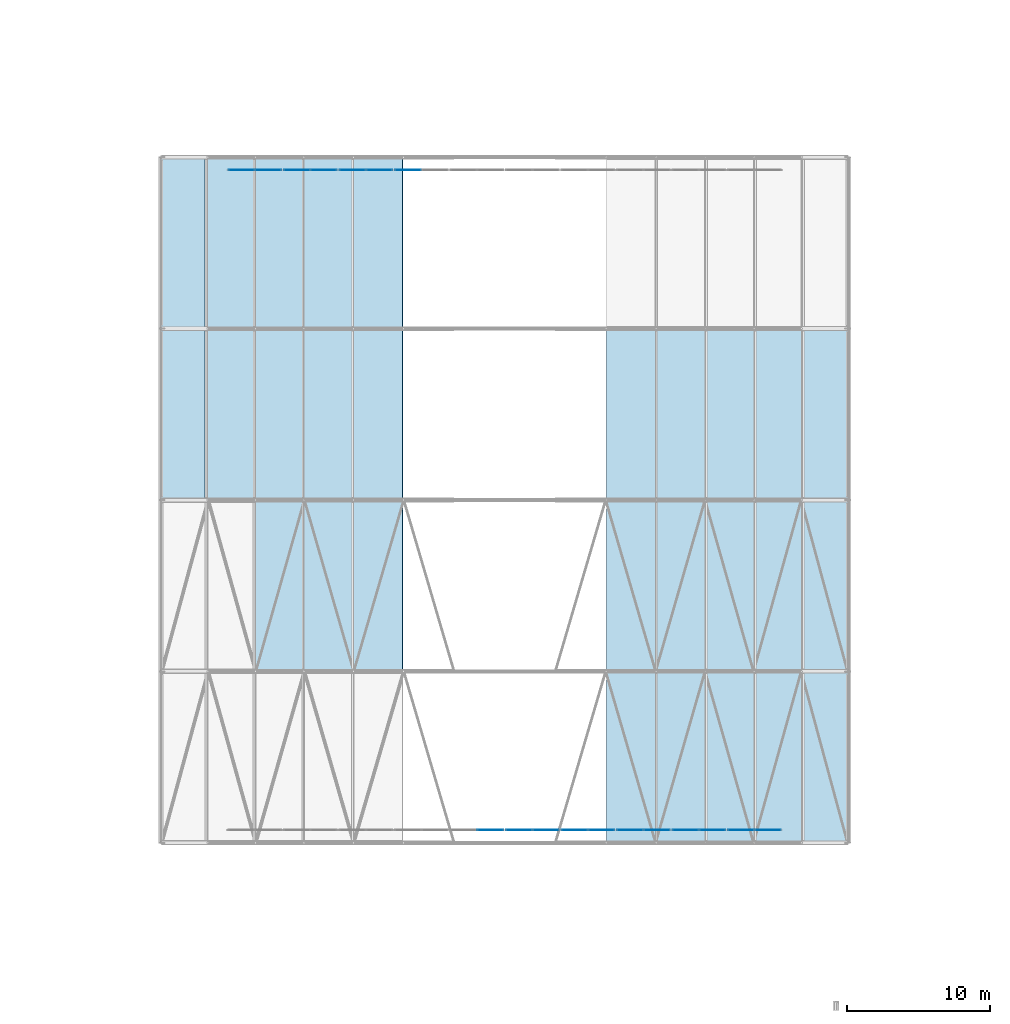
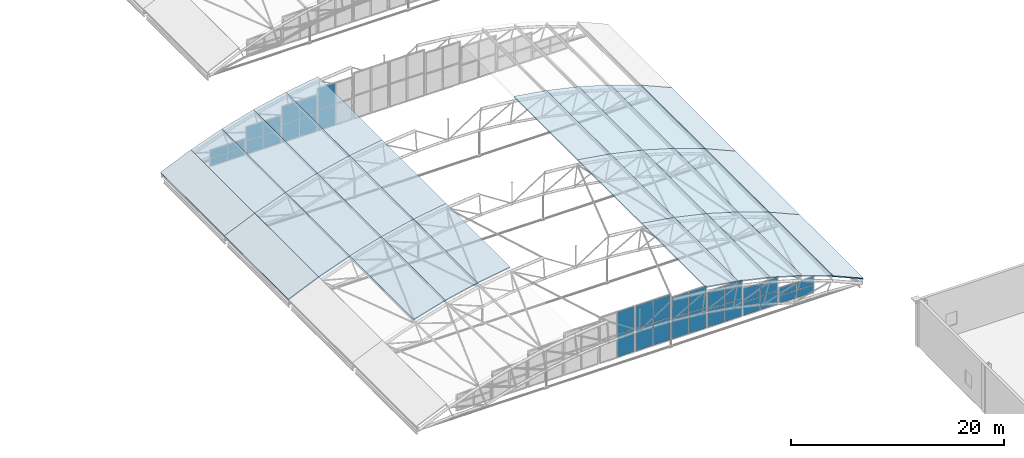
# One storey, part 249 of 321: 36 plates, 28 slabs, 10 elements without a shape of their own.
"""IFC4 building model written with IfcOpenShell, lengths in metres."""

from ifc_helpers import new_model, si_unit, direction, frame, origin, origin_2d, place, context, subcontext, project, spatial, polyline, rectangle, outline, extrude, material, layer, layer_set, type_object, element, aggregate, save


model = new_model("IFC4")

# Units and contexts
model_context = context("Model", 3, precision=1e-05, world=origin(), true_north=direction((0.0, 1.0)))
body_context = subcontext(model_context, "Body", "Model", "MODEL_VIEW")
ifc_project = project(units=[si_unit("LENGTHUNIT", "METRE"), si_unit("AREAUNIT", "SQUARE_METRE"), si_unit("VOLUMEUNIT", "CUBIC_METRE"), si_unit("PLANEANGLEUNIT", "RADIAN"), si_unit("MASSUNIT", "GRAM", prefix="KILO")], contexts=[model_context])

# Site, building, storey
site_placement = place(None, origin())
site = spatial("IfcSite", under=ifc_project, at=site_placement, CompositionType="ELEMENT")
building_placement = place(site_placement, origin())
building = spatial("IfcBuilding", under=site, at=building_placement, Name="Ravi Spectrum Wholesale Market", CompositionType="ELEMENT")
storey_placement = place(building_placement, frame((0.0, 0.0, 10.800048828125)))
storey = spatial("IfcBuildingStorey", under=building, at=storey_placement, Name="L02", CompositionType="ELEMENT", Elevation=10.800048828125)

# Curtain wall, plate
ifc_material_1 = material(Name="Aluminium 6063-T6", Category="aluminium")
ifc_layer_1 = layer(ifc_material_1, 0.14990234375)
ifc_layer_set_1 = layer_set([ifc_layer_1], Name="Aluminium 6063-T6")
curtain_wall_type = type_object("IfcCurtainWallType", Name="Curtain wall 150", PredefinedType="NOTDEFINED", material=ifc_layer_set_1)
curtain_wall_1_placement = place(storey_placement, origin())
curtain_wall_1 = element("IfcCurtainWall", 1, at=curtain_wall_1_placement, inside=storey, type_object=curtain_wall_type, Name="H2-CW-L02-005", PredefinedType="NOTDEFINED")
ifc_material_2 = material(Name="Toughened glass", Category="glass")
ifc_layer_2 = layer(ifc_material_2, 0.028076171875)
ifc_layer_set_2 = layer_set([ifc_layer_2], Name="Toughened glass")
plate_type_1 = type_object("IfcPlateType", Name="Glazing panel 28", PredefinedType="CURTAIN_PANEL", material=ifc_layer_set_2)
plate_1_placement = place(storey_placement, frame((172.993408203125, 78.89990234375, 0.059814453125), z_axis=(0.0, 0.0, 1.0), x_axis=(1.0, 0.0, 0.0)))
plate_1 = element("IfcPlate", 2, at=plate_1_placement, type_object=plate_type_1, Name="H2-CW-L02-005 panel 2.1", PredefinedType="CURTAIN_PANEL", context=body_context, shape_type="SweptSolid", body=[
    extrude(rectangle(XDim=1.81298828125, YDim=0.028076171875, at=origin_2d()), origin(), (0.0, 0.0, 1.0), 2.56005859375),
])

# Curtain wall, plates
curtain_wall_2_placement = place(storey_placement, origin())
curtain_wall_2 = element("IfcCurtainWall", 3, at=curtain_wall_2_placement, inside=storey, type_object=curtain_wall_type, Name="H2-CW-L02-006", PredefinedType="NOTDEFINED")
plate_2_placement = place(storey_placement, frame((175.006591796875, 78.89990234375, 0.059814453125), z_axis=(0.0, 0.0, 1.0), x_axis=(1.0, 0.0, 0.0)))
plate_2 = element("IfcPlate", 4, at=plate_2_placement, type_object=plate_type_1, Name="H2-CW-L02-006 panel 1.1", PredefinedType="CURTAIN_PANEL", context=body_context, shape_type="SweptSolid", body=[
    extrude(rectangle(XDim=1.81298828125, YDim=0.028076171875, at=origin_2d()), origin(), (0.0, 0.0, 1.0), 2.56005859375),
])
plate_3_placement = place(storey_placement, frame((176.879638671875, 78.89990234375, 0.059814453125), z_axis=(0.0, 0.0, 1.0), x_axis=(1.0, 0.0, 0.0)))
plate_3 = element("IfcPlate", 5, at=plate_3_placement, type_object=plate_type_1, Name="H2-CW-L02-006 panel 2.1", PredefinedType="CURTAIN_PANEL", context=body_context, shape_type="SweptSolid", body=[
    extrude(rectangle(XDim=1.81298828125, YDim=0.028076171875, at=origin_2d()), origin(), (0.0, 0.0, 1.0), 2.56005859375),
])

curtain_wall_3_placement = place(storey_placement, origin())
curtain_wall_3 = element("IfcCurtainWall", 6, at=curtain_wall_3_placement, inside=storey, type_object=curtain_wall_type, Name="H2-CW-L02-007", PredefinedType="NOTDEFINED")
plate_4_placement = place(storey_placement, frame((178.892578125, 78.89990234375, 0.06005859375), z_axis=(0.0, 0.0, 1.0), x_axis=(1.0, 0.0, 0.0)))
plate_4 = element("IfcPlate", 7, at=plate_4_placement, type_object=plate_type_1, Name="H2-CW-L02-007 panel 1.1", PredefinedType="CURTAIN_PANEL", context=body_context, shape_type="SweptSolid", body=[
    extrude(rectangle(XDim=1.81298828125, YDim=0.028076171875, at=origin_2d()), origin(), (0.0, 0.0, 1.0), 2.360107421875),
])
plate_5_placement = place(storey_placement, frame((180.765625, 78.89990234375, 0.06005859375), z_axis=(0.0, 0.0, 1.0), x_axis=(1.0, 0.0, 0.0)))
plate_5 = element("IfcPlate", 8, at=plate_5_placement, type_object=plate_type_1, Name="H2-CW-L02-007 panel 2.1", PredefinedType="CURTAIN_PANEL", context=body_context, shape_type="SweptSolid", body=[
    extrude(rectangle(XDim=1.81298828125, YDim=0.028076171875, at=origin_2d()), origin(), (0.0, 0.0, 1.0), 2.360107421875),
])

curtain_wall_4_placement = place(storey_placement, origin())
curtain_wall_4 = element("IfcCurtainWall", 9, at=curtain_wall_4_placement, inside=storey, type_object=curtain_wall_type, Name="H2-CW-L02-008", PredefinedType="NOTDEFINED")
plate_6_placement = place(storey_placement, frame((182.77880859375, 78.89990234375, 0.06005859375), z_axis=(0.0, 0.0, 1.0), x_axis=(1.0, 0.0, 0.0)))
plate_6 = element("IfcPlate", 10, at=plate_6_placement, type_object=plate_type_1, Name="H2-CW-L02-008 panel 1.1", PredefinedType="CURTAIN_PANEL", context=body_context, shape_type="SweptSolid", body=[
    extrude(rectangle(XDim=1.81298828125, YDim=0.028076171875, at=origin_2d()), origin(), (0.0, 0.0, 1.0), 2.010009765625),
])
plate_7_placement = place(storey_placement, frame((184.65185546875, 78.89990234375, 0.06005859375), z_axis=(0.0, 0.0, 1.0), x_axis=(1.0, 0.0, 0.0)))
plate_7 = element("IfcPlate", 11, at=plate_7_placement, type_object=plate_type_1, Name="H2-CW-L02-008 panel 2.1", PredefinedType="CURTAIN_PANEL", context=body_context, shape_type="SweptSolid", body=[
    extrude(rectangle(XDim=1.81298828125, YDim=0.028076171875, at=origin_2d()), origin(), (0.0, 0.0, 1.0), 2.010009765625),
])

curtain_wall_5_placement = place(storey_placement, origin())
curtain_wall_5 = element("IfcCurtainWall", 12, at=curtain_wall_5_placement, inside=storey, type_object=curtain_wall_type, Name="H2-CW-L02-009", PredefinedType="NOTDEFINED")
plate_8_placement = place(storey_placement, frame((186.6650390625, 78.89990234375, 0.06005859375), z_axis=(0.0, 0.0, 1.0), x_axis=(1.0, 0.0, 0.0)))
plate_8 = element("IfcPlate", 13, at=plate_8_placement, type_object=plate_type_1, Name="H2-CW-L02-009 panel 1.1", PredefinedType="CURTAIN_PANEL", context=body_context, shape_type="SweptSolid", body=[
    extrude(rectangle(XDim=1.81298828125, YDim=0.028076171875, at=origin_2d()), origin(), (0.0, 0.0, 1.0), 1.510009765625),
])
plate_9_placement = place(storey_placement, frame((188.5380859375, 78.89990234375, 0.06005859375), z_axis=(0.0, 0.0, 1.0), x_axis=(1.0, 0.0, 0.0)))
plate_9 = element("IfcPlate", 14, at=plate_9_placement, type_object=plate_type_1, Name="H2-CW-L02-009 panel 2.1", PredefinedType="CURTAIN_PANEL", context=body_context, shape_type="SweptSolid", body=[
    extrude(rectangle(XDim=1.81298828125, YDim=0.028076171875, at=origin_2d()), origin(), (0.0, 0.0, 1.0), 1.510009765625),
])

curtain_wall_6_placement = place(storey_placement, origin())
curtain_wall_6 = element("IfcCurtainWall", 15, at=curtain_wall_6_placement, inside=storey, type_object=curtain_wall_type, Name="H2-CW-L02-010", PredefinedType="NOTDEFINED")
plate_10_placement = place(storey_placement, frame((190.551025390625, 78.89990234375, 0.97998046875), z_axis=(0.0, 0.0, 1.0), x_axis=(1.0, 0.0, 0.0)))
plate_10 = element("IfcPlate", 16, at=plate_10_placement, type_object=plate_type_1, Name="H2-CW-L02-010 panel 1.2", PredefinedType="CURTAIN_PANEL", context=body_context, shape_type="SweptSolid", body=[
    extrude(rectangle(XDim=1.81298828125, YDim=0.028076171875, at=origin_2d()), origin(), (0.0, 0.0, 1.0), 0.860107421875),
])
plate_11_placement = place(storey_placement, frame((192.424072265625, 78.89990234375, 0.97998046875), z_axis=(0.0, 0.0, 1.0), x_axis=(1.0, 0.0, 0.0)))
plate_11 = element("IfcPlate", 17, at=plate_11_placement, type_object=plate_type_1, Name="H2-CW-L02-010 panel 2.2", PredefinedType="CURTAIN_PANEL", context=body_context, shape_type="SweptSolid", body=[
    extrude(rectangle(XDim=1.81298828125, YDim=0.028076171875, at=origin_2d()), origin(), (0.0, 0.0, 1.0), 0.860107421875),
])

curtain_wall_7_placement = place(storey_placement, origin())
curtain_wall_7 = element("IfcCurtainWall", 18, at=curtain_wall_7_placement, inside=storey, type_object=curtain_wall_type, Name="H2-CW-L02-011", PredefinedType="NOTDEFINED")
plate_12_placement = place(storey_placement, frame((155.575927734375, 125.10009765625, 0.97998046875), z_axis=(0.0, 0.0, 1.0), x_axis=(1.0, 0.0, 0.0)))
plate_12 = element("IfcPlate", 19, at=plate_12_placement, type_object=plate_type_1, Name="H2-CW-L02-011 panel 1.2", PredefinedType="CURTAIN_PANEL", context=body_context, shape_type="SweptSolid", body=[
    extrude(rectangle(XDim=1.81298828125, YDim=0.028076171875, at=origin_2d()), origin(), (0.0, 0.0, 1.0), 0.860107421875),
])
plate_13_placement = place(storey_placement, frame((157.448974609375, 125.10009765625, 0.97998046875), z_axis=(0.0, 0.0, 1.0), x_axis=(1.0, 0.0, 0.0)))
plate_13 = element("IfcPlate", 20, at=plate_13_placement, type_object=plate_type_1, Name="H2-CW-L02-011 panel 2.2", PredefinedType="CURTAIN_PANEL", context=body_context, shape_type="SweptSolid", body=[
    extrude(rectangle(XDim=1.81298828125, YDim=0.028076171875, at=origin_2d()), origin(), (0.0, 0.0, 1.0), 0.860107421875),
])

curtain_wall_8_placement = place(storey_placement, origin())
curtain_wall_8 = element("IfcCurtainWall", 21, at=curtain_wall_8_placement, inside=storey, type_object=curtain_wall_type, Name="H2-CW-L02-012", PredefinedType="NOTDEFINED")
plate_14_placement = place(storey_placement, frame((159.4619140625, 125.10009765625, 0.06005859375), z_axis=(0.0, 0.0, 1.0), x_axis=(1.0, 0.0, 0.0)))
plate_14 = element("IfcPlate", 22, at=plate_14_placement, type_object=plate_type_1, Name="H2-CW-L02-012 panel 1.1", PredefinedType="CURTAIN_PANEL", context=body_context, shape_type="SweptSolid", body=[
    extrude(rectangle(XDim=1.81298828125, YDim=0.028076171875, at=origin_2d()), origin(), (0.0, 0.0, 1.0), 1.510009765625),
])
plate_15_placement = place(storey_placement, frame((161.3349609375, 125.10009765625, 0.06005859375), z_axis=(0.0, 0.0, 1.0), x_axis=(1.0, 0.0, 0.0)))
plate_15 = element("IfcPlate", 23, at=plate_15_placement, type_object=plate_type_1, Name="H2-CW-L02-012 panel 2.1", PredefinedType="CURTAIN_PANEL", context=body_context, shape_type="SweptSolid", body=[
    extrude(rectangle(XDim=1.81298828125, YDim=0.028076171875, at=origin_2d()), origin(), (0.0, 0.0, 1.0), 1.510009765625),
])

curtain_wall_9_placement = place(storey_placement, origin())
curtain_wall_9 = element("IfcCurtainWall", 24, at=curtain_wall_9_placement, inside=storey, type_object=curtain_wall_type, Name="H2-CW-L02-013", PredefinedType="NOTDEFINED")
plate_16_placement = place(storey_placement, frame((163.34814453125, 125.10009765625, 0.06005859375), z_axis=(0.0, 0.0, 1.0), x_axis=(1.0, 0.0, 0.0)))
plate_16 = element("IfcPlate", 25, at=plate_16_placement, type_object=plate_type_1, Name="H2-CW-L02-013 panel 1.1", PredefinedType="CURTAIN_PANEL", context=body_context, shape_type="SweptSolid", body=[
    extrude(rectangle(XDim=1.81298828125, YDim=0.028076171875, at=origin_2d()), origin(), (0.0, 0.0, 1.0), 2.010009765625),
])
plate_17_placement = place(storey_placement, frame((165.22119140625, 125.10009765625, 0.06005859375), z_axis=(0.0, 0.0, 1.0), x_axis=(1.0, 0.0, 0.0)))
plate_17 = element("IfcPlate", 26, at=plate_17_placement, type_object=plate_type_1, Name="H2-CW-L02-013 panel 2.1", PredefinedType="CURTAIN_PANEL", context=body_context, shape_type="SweptSolid", body=[
    extrude(rectangle(XDim=1.81298828125, YDim=0.028076171875, at=origin_2d()), origin(), (0.0, 0.0, 1.0), 2.010009765625),
])

# Curtain wall, plate
curtain_wall_10_placement = place(storey_placement, origin())
curtain_wall_10 = element("IfcCurtainWall", 27, at=curtain_wall_10_placement, inside=storey, type_object=curtain_wall_type, Name="H2-CW-L02-014", PredefinedType="NOTDEFINED")
plate_18_placement = place(storey_placement, frame((167.234375, 125.10009765625, 0.06005859375), z_axis=(0.0, 0.0, 1.0), x_axis=(1.0, 0.0, 0.0)))
plate_18 = element("IfcPlate", 28, at=plate_18_placement, type_object=plate_type_1, Name="H2-CW-L02-014 panel 1.1", PredefinedType="CURTAIN_PANEL", context=body_context, shape_type="SweptSolid", body=[
    extrude(rectangle(XDim=1.81298828125, YDim=0.028076171875, at=origin_2d()), origin(), (0.0, 0.0, 1.0), 2.360107421875),
])

# Plate
ifc_material_3 = material(Name="Insulated panel")
ifc_layer_3 = layer(ifc_material_3, 0.028076171875)
ifc_layer_set_3 = layer_set([ifc_layer_3], Name="Insulated panel")
plate_type_2 = type_object("IfcPlateType", Name="Opaque insulated panel 28", PredefinedType="CURTAIN_PANEL", material=ifc_layer_set_3)
plate_19_placement = place(storey_placement, frame((172.993408203125, 78.89990234375, 2.679931640625), z_axis=(0.0, 0.0, 1.0), x_axis=(1.0, 0.0, 0.0)))
plate_19 = element("IfcPlate", 29, at=plate_19_placement, type_object=plate_type_2, Name="H2-CW-L02-005 panel 2.2", PredefinedType="CURTAIN_PANEL", context=body_context, shape_type="SweptSolid", body=[
    extrude(rectangle(XDim=1.81298828125, YDim=0.028076171875, at=origin_2d()), origin(), (0.0, 0.0, 1.0), 2.56005859375),
])

aggregate(curtain_wall_1, [plate_1, plate_19])

plate_20_placement = place(storey_placement, frame((175.006591796875, 78.89990234375, 2.679931640625), z_axis=(0.0, 0.0, 1.0), x_axis=(1.0, 0.0, 0.0)))
plate_20 = element("IfcPlate", 30, at=plate_20_placement, type_object=plate_type_2, Name="H2-CW-L02-006 panel 1.2", PredefinedType="CURTAIN_PANEL", context=body_context, shape_type="SweptSolid", body=[
    extrude(rectangle(XDim=1.81298828125, YDim=0.028076171875, at=origin_2d()), origin(), (0.0, 0.0, 1.0), 2.56005859375),
])

plate_21_placement = place(storey_placement, frame((176.879638671875, 78.89990234375, 2.679931640625), z_axis=(0.0, 0.0, 1.0), x_axis=(1.0, 0.0, 0.0)))
plate_21 = element("IfcPlate", 31, at=plate_21_placement, type_object=plate_type_2, Name="H2-CW-L02-006 panel 2.2", PredefinedType="CURTAIN_PANEL", context=body_context, shape_type="SweptSolid", body=[
    extrude(rectangle(XDim=1.81298828125, YDim=0.028076171875, at=origin_2d()), origin(), (0.0, 0.0, 1.0), 2.56005859375),
])

aggregate(curtain_wall_2, [plate_2, plate_20, plate_3, plate_21])

plate_22_placement = place(storey_placement, frame((178.892578125, 78.89990234375, 2.47998046875), z_axis=(0.0, 0.0, 1.0), x_axis=(1.0, 0.0, 0.0)))
plate_22 = element("IfcPlate", 32, at=plate_22_placement, type_object=plate_type_2, Name="H2-CW-L02-007 panel 1.2", PredefinedType="CURTAIN_PANEL", context=body_context, shape_type="SweptSolid", body=[
    extrude(rectangle(XDim=1.81298828125, YDim=0.028076171875, at=origin_2d()), origin(), (0.0, 0.0, 1.0), 2.360107421875),
])

plate_23_placement = place(storey_placement, frame((180.765625, 78.89990234375, 2.47998046875), z_axis=(0.0, 0.0, 1.0), x_axis=(1.0, 0.0, 0.0)))
plate_23 = element("IfcPlate", 33, at=plate_23_placement, type_object=plate_type_2, Name="H2-CW-L02-007 panel 2.2", PredefinedType="CURTAIN_PANEL", context=body_context, shape_type="SweptSolid", body=[
    extrude(rectangle(XDim=1.81298828125, YDim=0.028076171875, at=origin_2d()), origin(), (0.0, 0.0, 1.0), 2.360107421875),
])

aggregate(curtain_wall_3, [plate_4, plate_22, plate_5, plate_23])

plate_24_placement = place(storey_placement, frame((182.77880859375, 78.89990234375, 2.1298828125), z_axis=(0.0, 0.0, 1.0), x_axis=(1.0, 0.0, 0.0)))
plate_24 = element("IfcPlate", 34, at=plate_24_placement, type_object=plate_type_2, Name="H2-CW-L02-008 panel 1.2", PredefinedType="CURTAIN_PANEL", context=body_context, shape_type="SweptSolid", body=[
    extrude(rectangle(XDim=1.81298828125, YDim=0.028076171875, at=origin_2d()), origin(), (0.0, 0.0, 1.0), 2.010009765625),
])

plate_25_placement = place(storey_placement, frame((184.65185546875, 78.89990234375, 2.1298828125), z_axis=(0.0, 0.0, 1.0), x_axis=(1.0, 0.0, 0.0)))
plate_25 = element("IfcPlate", 35, at=plate_25_placement, type_object=plate_type_2, Name="H2-CW-L02-008 panel 2.2", PredefinedType="CURTAIN_PANEL", context=body_context, shape_type="SweptSolid", body=[
    extrude(rectangle(XDim=1.81298828125, YDim=0.028076171875, at=origin_2d()), origin(), (0.0, 0.0, 1.0), 2.010009765625),
])

aggregate(curtain_wall_4, [plate_6, plate_24, plate_7, plate_25])

plate_26_placement = place(storey_placement, frame((186.6650390625, 78.89990234375, 1.6298828125), z_axis=(0.0, 0.0, 1.0), x_axis=(1.0, 0.0, 0.0)))
plate_26 = element("IfcPlate", 36, at=plate_26_placement, type_object=plate_type_2, Name="H2-CW-L02-009 panel 1.2", PredefinedType="CURTAIN_PANEL", context=body_context, shape_type="SweptSolid", body=[
    extrude(rectangle(XDim=1.81298828125, YDim=0.028076171875, at=origin_2d()), origin(), (0.0, 0.0, 1.0), 1.510009765625),
])

plate_27_placement = place(storey_placement, frame((188.5380859375, 78.89990234375, 1.6298828125), z_axis=(0.0, 0.0, 1.0), x_axis=(1.0, 0.0, 0.0)))
plate_27 = element("IfcPlate", 37, at=plate_27_placement, type_object=plate_type_2, Name="H2-CW-L02-009 panel 2.2", PredefinedType="CURTAIN_PANEL", context=body_context, shape_type="SweptSolid", body=[
    extrude(rectangle(XDim=1.81298828125, YDim=0.028076171875, at=origin_2d()), origin(), (0.0, 0.0, 1.0), 1.510009765625),
])

aggregate(curtain_wall_5, [plate_8, plate_26, plate_9, plate_27])

plate_28_placement = place(storey_placement, frame((190.551025390625, 78.89990234375, 0.06005859375), z_axis=(0.0, 0.0, 1.0), x_axis=(1.0, 0.0, 0.0)))
plate_28 = element("IfcPlate", 38, at=plate_28_placement, type_object=plate_type_2, Name="H2-CW-L02-010 panel 1.1", PredefinedType="CURTAIN_PANEL", context=body_context, shape_type="SweptSolid", body=[
    extrude(rectangle(XDim=1.81298828125, YDim=0.028076171875, at=origin_2d()), origin(), (0.0, 0.0, 1.0), 0.860107421875),
])

plate_29_placement = place(storey_placement, frame((192.424072265625, 78.89990234375, 0.06005859375), z_axis=(0.0, 0.0, 1.0), x_axis=(1.0, 0.0, 0.0)))
plate_29 = element("IfcPlate", 39, at=plate_29_placement, type_object=plate_type_2, Name="H2-CW-L02-010 panel 2.1", PredefinedType="CURTAIN_PANEL", context=body_context, shape_type="SweptSolid", body=[
    extrude(rectangle(XDim=1.81298828125, YDim=0.028076171875, at=origin_2d()), origin(), (0.0, 0.0, 1.0), 0.860107421875),
])

aggregate(curtain_wall_6, [plate_28, plate_10, plate_29, plate_11])

plate_30_placement = place(storey_placement, frame((155.575927734375, 125.10009765625, 0.06005859375), z_axis=(0.0, 0.0, 1.0), x_axis=(1.0, 0.0, 0.0)))
plate_30 = element("IfcPlate", 40, at=plate_30_placement, type_object=plate_type_2, Name="H2-CW-L02-011 panel 1.1", PredefinedType="CURTAIN_PANEL", context=body_context, shape_type="SweptSolid", body=[
    extrude(rectangle(XDim=1.81298828125, YDim=0.028076171875, at=origin_2d()), origin(), (0.0, 0.0, 1.0), 0.860107421875),
])

plate_31_placement = place(storey_placement, frame((157.448974609375, 125.10009765625, 0.06005859375), z_axis=(0.0, 0.0, 1.0), x_axis=(1.0, 0.0, 0.0)))
plate_31 = element("IfcPlate", 41, at=plate_31_placement, type_object=plate_type_2, Name="H2-CW-L02-011 panel 2.1", PredefinedType="CURTAIN_PANEL", context=body_context, shape_type="SweptSolid", body=[
    extrude(rectangle(XDim=1.81298828125, YDim=0.028076171875, at=origin_2d()), origin(), (0.0, 0.0, 1.0), 0.860107421875),
])

aggregate(curtain_wall_7, [plate_30, plate_12, plate_31, plate_13])

plate_32_placement = place(storey_placement, frame((159.4619140625, 125.10009765625, 1.6298828125), z_axis=(0.0, 0.0, 1.0), x_axis=(1.0, 0.0, 0.0)))
plate_32 = element("IfcPlate", 42, at=plate_32_placement, type_object=plate_type_2, Name="H2-CW-L02-012 panel 1.2", PredefinedType="CURTAIN_PANEL", context=body_context, shape_type="SweptSolid", body=[
    extrude(rectangle(XDim=1.81298828125, YDim=0.028076171875, at=origin_2d()), origin(), (0.0, 0.0, 1.0), 1.510009765625),
])

plate_33_placement = place(storey_placement, frame((161.3349609375, 125.10009765625, 1.6298828125), z_axis=(0.0, 0.0, 1.0), x_axis=(1.0, 0.0, 0.0)))
plate_33 = element("IfcPlate", 43, at=plate_33_placement, type_object=plate_type_2, Name="H2-CW-L02-012 panel 2.2", PredefinedType="CURTAIN_PANEL", context=body_context, shape_type="SweptSolid", body=[
    extrude(rectangle(XDim=1.81298828125, YDim=0.028076171875, at=origin_2d()), origin(), (0.0, 0.0, 1.0), 1.510009765625),
])

aggregate(curtain_wall_8, [plate_14, plate_32, plate_15, plate_33])

plate_34_placement = place(storey_placement, frame((163.34814453125, 125.10009765625, 2.1298828125), z_axis=(0.0, 0.0, 1.0), x_axis=(1.0, 0.0, 0.0)))
plate_34 = element("IfcPlate", 44, at=plate_34_placement, type_object=plate_type_2, Name="H2-CW-L02-013 panel 1.2", PredefinedType="CURTAIN_PANEL", context=body_context, shape_type="SweptSolid", body=[
    extrude(rectangle(XDim=1.81298828125, YDim=0.028076171875, at=origin_2d()), origin(), (0.0, 0.0, 1.0), 2.010009765625),
])

plate_35_placement = place(storey_placement, frame((165.22119140625, 125.10009765625, 2.1298828125), z_axis=(0.0, 0.0, 1.0), x_axis=(1.0, 0.0, 0.0)))
plate_35 = element("IfcPlate", 45, at=plate_35_placement, type_object=plate_type_2, Name="H2-CW-L02-013 panel 2.2", PredefinedType="CURTAIN_PANEL", context=body_context, shape_type="SweptSolid", body=[
    extrude(rectangle(XDim=1.81298828125, YDim=0.028076171875, at=origin_2d()), origin(), (0.0, 0.0, 1.0), 2.010009765625),
])

aggregate(curtain_wall_9, [plate_16, plate_34, plate_17, plate_35])

plate_36_placement = place(storey_placement, frame((167.234375, 125.10009765625, 2.47998046875), z_axis=(0.0, 0.0, 1.0), x_axis=(1.0, 0.0, 0.0)))
plate_36 = element("IfcPlate", 46, at=plate_36_placement, type_object=plate_type_2, Name="H2-CW-L02-014 panel 1.2", PredefinedType="CURTAIN_PANEL", context=body_context, shape_type="SweptSolid", body=[
    extrude(rectangle(XDim=1.81298828125, YDim=0.028076171875, at=origin_2d()), origin(), (0.0, 0.0, 1.0), 2.360107421875),
])

aggregate(curtain_wall_10, [plate_18, plate_36])

# Slabs
ifc_material_4 = material(Name="Steel S355", Category="steel")
ifc_layer_4 = layer(ifc_material_4, 0.1201171875)
ifc_layer_set_4 = layer_set([ifc_layer_4], Name="Steel S355")
slab_type = type_object("IfcSlabType", Name="Roof panel 120", PredefinedType="ROOF", material=ifc_layer_set_4)
slab_1_placement = place(storey_placement, frame((181.140869140625, 78.0, 5.49951171875), z_axis=(0.157440984261, 0.0, 0.987528397807), x_axis=(0.987528397807, 0.0, -0.157440984261)))
element("IfcSlab", 47, at=slab_1_placement, inside=storey, type_object=slab_type, Name="H2-SL-L02-006", PredefinedType="ROOF", context=body_context, shape_type="SweptSolid", body=[
    extrude(outline(polyline([(0.0, 0.0), (3.569665937915445, 0.0), (3.569665937915445, 12.0), (0.0, 12.0), (0.0, 0.0)])), origin(), (0.0, 0.0, -1.0), 0.1201171875),
])
slab_2_placement = place(storey_placement, frame((184.673583984375, 78.0, 4.93603515625), z_axis=(0.219536606046, 0.0, 0.975604263319), x_axis=(0.975604263319, 0.0, -0.219536606046)))
element("IfcSlab", 48, at=slab_2_placement, inside=storey, type_object=slab_type, Name="H2-SL-L02-007", PredefinedType="ROOF", context=body_context, shape_type="SweptSolid", body=[
    extrude(outline(polyline([(0.0, 0.0), (3.5697527640747637, 0.0), (3.5697527640747637, 12.0), (0.0, 12.0), (0.0, 0.0)])), origin(), (0.0, 0.0, -1.0), 0.1201171875),
])
slab_3_placement = place(storey_placement, frame((188.163818359375, 78.0, 4.150634765625), z_axis=(0.280740497121, 0.0, 0.959783711716), x_axis=(0.959783711716, 0.0, -0.280740497121)))
element("IfcSlab", 49, at=slab_3_placement, inside=storey, type_object=slab_type, Name="H2-SL-L02-008", PredefinedType="ROOF", context=body_context, shape_type="SweptSolid", body=[
    extrude(outline(polyline([(0.0, 0.0), (3.569835046609062, 0.0), (3.569835046609062, 12.0), (0.0, 12.0), (0.0, 0.0)])), origin(), (0.0, 0.0, -1.0), 0.1201171875),
])
slab_4_placement = place(storey_placement, frame((191.59716796875, 78.0, 3.14599609375), z_axis=(0.340781945356, 0.0, 0.940142364602), x_axis=(0.940142364602, 0.0, -0.340781945356)))
element("IfcSlab", 50, at=slab_4_placement, inside=storey, type_object=slab_type, Name="H2-SL-L02-009", PredefinedType="ROOF", context=body_context, shape_type="SweptSolid", body=[
    extrude(outline(polyline([(0.0, 0.0), (3.5698861132549333, 0.0), (3.5698861132549333, 12.0), (0.0, 12.0), (0.0, 0.0)])), origin(), (0.0, 0.0, -1.0), 0.1201171875),
])
slab_5_placement = place(storey_placement, frame((194.96044921875, 78.0, 1.926513671875), z_axis=(0.399541211393, 0.0, 0.916715234082), x_axis=(0.916715234082, 0.0, -0.399541211393)))
element("IfcSlab", 51, at=slab_5_placement, inside=storey, type_object=slab_type, Name="H2-SL-L02-010", PredefinedType="ROOF", context=body_context, shape_type="SweptSolid", body=[
    extrude(outline(polyline([(0.0, 0.0), (3.5697682506341324, 0.0), (3.5697682506341324, 12.0), (0.0, 12.0), (0.0, 0.0)])), origin(), (0.0, 0.0, -1.0), 0.1201171875),
])
slab_6_placement = place(storey_placement, frame((156.409912109375, 90.0, 3.1484375), z_axis=(-0.280740497121, 0.0, 0.959783711716), x_axis=(0.959783711716, 0.0, 0.280740497121)))
element("IfcSlab", 52, at=slab_6_placement, inside=storey, type_object=slab_type, Name="H2-SL-L02-013", PredefinedType="ROOF", context=body_context, shape_type="SweptSolid", body=[
    extrude(outline(polyline([(0.0, 0.0), (3.569835046609062, 0.0), (3.569835046609062, 12.0), (0.0, 12.0), (0.0, 0.0)])), origin(), (0.0, 0.0, -1.0), 0.1201171875),
])
slab_7_placement = place(storey_placement, frame((159.84375, 90.0, 4.15234375), z_axis=(-0.219536606046, 0.0, 0.975604263319), x_axis=(0.975604263319, 0.0, 0.219536606046)))
element("IfcSlab", 53, at=slab_7_placement, inside=storey, type_object=slab_type, Name="H2-SL-L02-014", PredefinedType="ROOF", context=body_context, shape_type="SweptSolid", body=[
    extrude(outline(polyline([(0.0, 0.0), (3.5697527640747637, 0.0), (3.5697527640747637, 12.0), (0.0, 12.0), (0.0, 0.0)])), origin(), (0.0, 0.0, -1.0), 0.1201171875),
])
for number, where, z_axis, x_axis, name in (
    (54, (163.333984375, 90.0, 4.9375), (-0.157440984261, 0.0, 0.987528397807), (0.987528397807, 0.0, 0.157440984261), "H2-SL-L02-015"),
    (55, (181.140869140625, 90.0, 5.49951171875), (0.157440984261, 0.0, 0.987528397807), (0.987528397807, 0.0, -0.157440984261), "H2-SL-L02-016"),
):
    element("IfcSlab", number, at=place(storey_placement, frame(where, z_axis=z_axis, x_axis=x_axis)), inside=storey, type_object=slab_type, Name=name, PredefinedType="ROOF", context=body_context, shape_type="SweptSolid", body=[
        extrude(outline(polyline([(0.0, 0.0), (3.569665937915445, 0.0), (3.569665937915445, 12.0), (0.0, 12.0), (0.0, 0.0)])), origin(), (0.0, 0.0, -1.0), 0.1201171875),
    ])
slab_8_placement = place(storey_placement, frame((184.673583984375, 90.0, 4.93603515625), z_axis=(0.219536606046, 0.0, 0.975604263319), x_axis=(0.975604263319, 0.0, -0.219536606046)))
element("IfcSlab", 56, at=slab_8_placement, inside=storey, type_object=slab_type, Name="H2-SL-L02-017", PredefinedType="ROOF", context=body_context, shape_type="SweptSolid", body=[
    extrude(outline(polyline([(0.0, 0.0), (3.5697527640747637, 0.0), (3.5697527640747637, 12.0), (0.0, 12.0), (0.0, 0.0)])), origin(), (0.0, 0.0, -1.0), 0.1201171875),
])
slab_9_placement = place(storey_placement, frame((188.163818359375, 90.0, 4.150634765625), z_axis=(0.280740497121, 0.0, 0.959783711716), x_axis=(0.959783711716, 0.0, -0.280740497121)))
element("IfcSlab", 57, at=slab_9_placement, inside=storey, type_object=slab_type, Name="H2-SL-L02-018", PredefinedType="ROOF", context=body_context, shape_type="SweptSolid", body=[
    extrude(outline(polyline([(0.0, 0.0), (3.569835046609062, 0.0), (3.569835046609062, 12.0), (0.0, 12.0), (0.0, 0.0)])), origin(), (0.0, 0.0, -1.0), 0.1201171875),
])
slab_10_placement = place(storey_placement, frame((191.59716796875, 90.0, 3.14599609375), z_axis=(0.340781945356, 0.0, 0.940142364602), x_axis=(0.940142364602, 0.0, -0.340781945356)))
element("IfcSlab", 58, at=slab_10_placement, inside=storey, type_object=slab_type, Name="H2-SL-L02-019", PredefinedType="ROOF", context=body_context, shape_type="SweptSolid", body=[
    extrude(outline(polyline([(0.0, 0.0), (3.5698861132549333, 0.0), (3.5698861132549333, 12.0), (0.0, 12.0), (0.0, 0.0)])), origin(), (0.0, 0.0, -1.0), 0.1201171875),
])
for number, where, z_axis, x_axis, name in (
    (59, (194.96044921875, 90.0, 1.926513671875), (0.399541211393, 0.0, 0.916715234082), (0.916715234082, 0.0, -0.399541211393), "H2-SL-L02-020"),
    (60, (149.76708984375, 102.0, 0.500244140625), (-0.399541211393, 0.0, 0.916715234082), (0.916715234082, 0.0, 0.399541211393), "H2-SL-L02-021"),
):
    element("IfcSlab", number, at=place(storey_placement, frame(where, z_axis=z_axis, x_axis=x_axis)), inside=storey, type_object=slab_type, Name=name, PredefinedType="ROOF", context=body_context, shape_type="SweptSolid", body=[
        extrude(outline(polyline([(0.0, 0.0), (3.5697682506341324, 0.0), (3.5697682506341324, 12.0), (0.0, 12.0), (0.0, 0.0)])), origin(), (0.0, 0.0, -1.0), 0.1201171875),
    ])
slab_11_placement = place(storey_placement, frame((153.046630859375, 102.0, 1.929443359375), z_axis=(-0.340781945356, 0.0, 0.940142364602), x_axis=(0.940142364602, 0.0, 0.340781945356)))
element("IfcSlab", 61, at=slab_11_placement, inside=storey, type_object=slab_type, Name="H2-SL-L02-022", PredefinedType="ROOF", context=body_context, shape_type="SweptSolid", body=[
    extrude(outline(polyline([(0.0, 0.0), (3.5698861132549333, 0.0), (3.5698861132549333, 12.0), (0.0, 12.0), (0.0, 0.0)])), origin(), (0.0, 0.0, -1.0), 0.1201171875),
])
slab_12_placement = place(storey_placement, frame((156.409912109375, 102.0, 3.1484375), z_axis=(-0.280740497121, 0.0, 0.959783711716), x_axis=(0.959783711716, 0.0, 0.280740497121)))
element("IfcSlab", 62, at=slab_12_placement, inside=storey, type_object=slab_type, Name="H2-SL-L02-023", PredefinedType="ROOF", context=body_context, shape_type="SweptSolid", body=[
    extrude(outline(polyline([(0.0, 0.0), (3.569835046609062, 0.0), (3.569835046609062, 12.0), (0.0, 12.0), (0.0, 0.0)])), origin(), (0.0, 0.0, -1.0), 0.1201171875),
])
slab_13_placement = place(storey_placement, frame((159.84375, 102.0, 4.15234375), z_axis=(-0.219536606046, 0.0, 0.975604263319), x_axis=(0.975604263319, 0.0, 0.219536606046)))
element("IfcSlab", 63, at=slab_13_placement, inside=storey, type_object=slab_type, Name="H2-SL-L02-024", PredefinedType="ROOF", context=body_context, shape_type="SweptSolid", body=[
    extrude(outline(polyline([(0.0, 0.0), (3.5697527640747637, 0.0), (3.5697527640747637, 12.0), (0.0, 12.0), (0.0, 0.0)])), origin(), (0.0, 0.0, -1.0), 0.1201171875),
])
for number, where, z_axis, x_axis, name in (
    (64, (163.333984375, 102.0, 4.9375), (-0.157440984261, 0.0, 0.987528397807), (0.987528397807, 0.0, 0.157440984261), "H2-SL-L02-025"),
    (65, (181.140869140625, 102.0, 5.49951171875), (0.157440984261, 0.0, 0.987528397807), (0.987528397807, 0.0, -0.157440984261), "H2-SL-L02-026"),
):
    element("IfcSlab", number, at=place(storey_placement, frame(where, z_axis=z_axis, x_axis=x_axis)), inside=storey, type_object=slab_type, Name=name, PredefinedType="ROOF", context=body_context, shape_type="SweptSolid", body=[
        extrude(outline(polyline([(0.0, 0.0), (3.569665937915445, 0.0), (3.569665937915445, 12.0), (0.0, 12.0), (0.0, 0.0)])), origin(), (0.0, 0.0, -1.0), 0.1201171875),
    ])
slab_14_placement = place(storey_placement, frame((184.673583984375, 102.0, 4.93603515625), z_axis=(0.219536606046, 0.0, 0.975604263319), x_axis=(0.975604263319, 0.0, -0.219536606046)))
element("IfcSlab", 66, at=slab_14_placement, inside=storey, type_object=slab_type, Name="H2-SL-L02-027", PredefinedType="ROOF", context=body_context, shape_type="SweptSolid", body=[
    extrude(outline(polyline([(0.0, 0.0), (3.5697527640747637, 0.0), (3.5697527640747637, 12.0), (0.0, 12.0), (0.0, 0.0)])), origin(), (0.0, 0.0, -1.0), 0.1201171875),
])
slab_15_placement = place(storey_placement, frame((188.163818359375, 102.0, 4.150634765625), z_axis=(0.280740497121, 0.0, 0.959783711716), x_axis=(0.959783711716, 0.0, -0.280740497121)))
element("IfcSlab", 67, at=slab_15_placement, inside=storey, type_object=slab_type, Name="H2-SL-L02-028", PredefinedType="ROOF", context=body_context, shape_type="SweptSolid", body=[
    extrude(outline(polyline([(0.0, 0.0), (3.569835046609062, 0.0), (3.569835046609062, 12.0), (0.0, 12.0), (0.0, 0.0)])), origin(), (0.0, 0.0, -1.0), 0.1201171875),
])
slab_16_placement = place(storey_placement, frame((191.59716796875, 102.0, 3.14599609375), z_axis=(0.340781945356, 0.0, 0.940142364602), x_axis=(0.940142364602, 0.0, -0.340781945356)))
element("IfcSlab", 68, at=slab_16_placement, inside=storey, type_object=slab_type, Name="H2-SL-L02-029", PredefinedType="ROOF", context=body_context, shape_type="SweptSolid", body=[
    extrude(outline(polyline([(0.0, 0.0), (3.5698861132549333, 0.0), (3.5698861132549333, 12.0), (0.0, 12.0), (0.0, 0.0)])), origin(), (0.0, 0.0, -1.0), 0.1201171875),
])
for number, where, z_axis, x_axis, name in (
    (69, (194.96044921875, 102.0, 1.926513671875), (0.399541211393, 0.0, 0.916715234082), (0.916715234082, 0.0, -0.399541211393), "H2-SL-L02-030"),
    (70, (149.76708984375, 114.0, 0.500244140625), (-0.399541211393, 0.0, 0.916715234082), (0.916715234082, 0.0, 0.399541211393), "H2-SL-L02-031"),
):
    element("IfcSlab", number, at=place(storey_placement, frame(where, z_axis=z_axis, x_axis=x_axis)), inside=storey, type_object=slab_type, Name=name, PredefinedType="ROOF", context=body_context, shape_type="SweptSolid", body=[
        extrude(outline(polyline([(0.0, 0.0), (3.5697682506341324, 0.0), (3.5697682506341324, 12.0), (0.0, 12.0), (0.0, 0.0)])), origin(), (0.0, 0.0, -1.0), 0.1201171875),
    ])
slab_17_placement = place(storey_placement, frame((153.046630859375, 114.0, 1.929443359375), z_axis=(-0.340781945356, 0.0, 0.940142364602), x_axis=(0.940142364602, 0.0, 0.340781945356)))
element("IfcSlab", 71, at=slab_17_placement, inside=storey, type_object=slab_type, Name="H2-SL-L02-032", PredefinedType="ROOF", context=body_context, shape_type="SweptSolid", body=[
    extrude(outline(polyline([(0.0, 0.0), (3.5698861132549333, 0.0), (3.5698861132549333, 12.0), (0.0, 12.0), (0.0, 0.0)])), origin(), (0.0, 0.0, -1.0), 0.1201171875),
])
slab_18_placement = place(storey_placement, frame((156.409912109375, 114.0, 3.1484375), z_axis=(-0.280740497121, 0.0, 0.959783711716), x_axis=(0.959783711716, 0.0, 0.280740497121)))
element("IfcSlab", 72, at=slab_18_placement, inside=storey, type_object=slab_type, Name="H2-SL-L02-033", PredefinedType="ROOF", context=body_context, shape_type="SweptSolid", body=[
    extrude(outline(polyline([(0.0, 0.0), (3.569835046609062, 0.0), (3.569835046609062, 12.0), (0.0, 12.0), (0.0, 0.0)])), origin(), (0.0, 0.0, -1.0), 0.1201171875),
])
slab_19_placement = place(storey_placement, frame((159.84375, 114.0, 4.15234375), z_axis=(-0.219536606046, 0.0, 0.975604263319), x_axis=(0.975604263319, 0.0, 0.219536606046)))
element("IfcSlab", 73, at=slab_19_placement, inside=storey, type_object=slab_type, Name="H2-SL-L02-034", PredefinedType="ROOF", context=body_context, shape_type="SweptSolid", body=[
    extrude(outline(polyline([(0.0, 0.0), (3.5697527640747637, 0.0), (3.5697527640747637, 12.0), (0.0, 12.0), (0.0, 0.0)])), origin(), (0.0, 0.0, -1.0), 0.1201171875),
])
slab_20_placement = place(storey_placement, frame((163.333984375, 114.0, 4.9375), z_axis=(-0.157440984261, 0.0, 0.987528397807), x_axis=(0.987528397807, 0.0, 0.157440984261)))
element("IfcSlab", 74, at=slab_20_placement, inside=storey, type_object=slab_type, Name="H2-SL-L02-035", PredefinedType="ROOF", context=body_context, shape_type="SweptSolid", body=[
    extrude(outline(polyline([(0.0, 0.0), (3.569665937915445, 0.0), (3.569665937915445, 12.0), (0.0, 12.0), (0.0, 0.0)])), origin(), (0.0, 0.0, -1.0), 0.1201171875),
])

save(model, "model.ifc")
